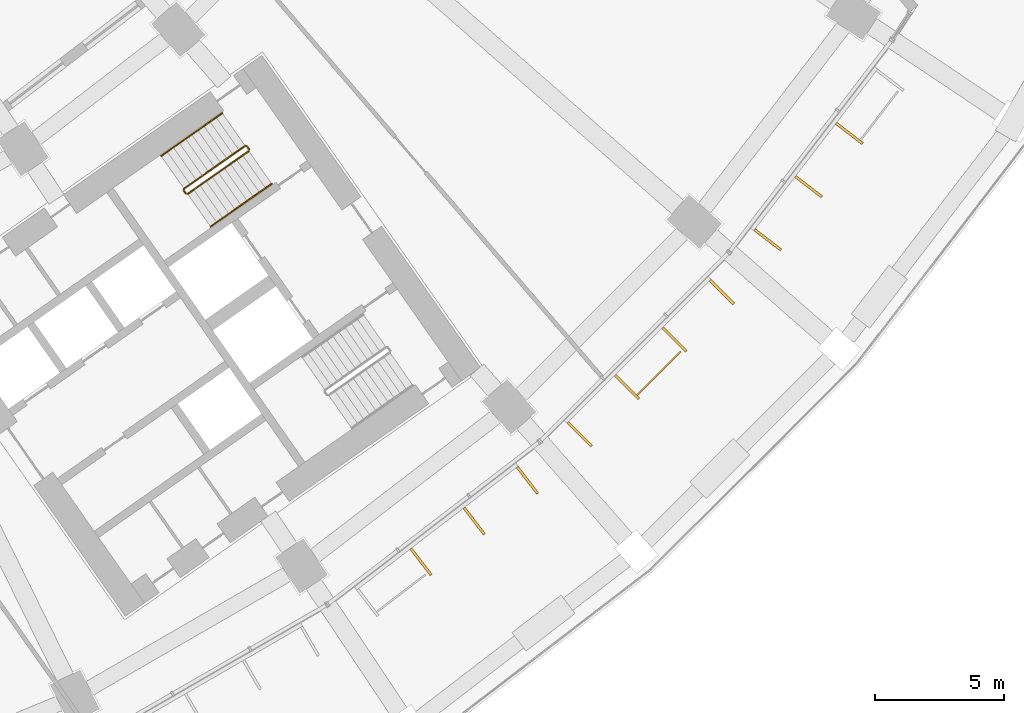
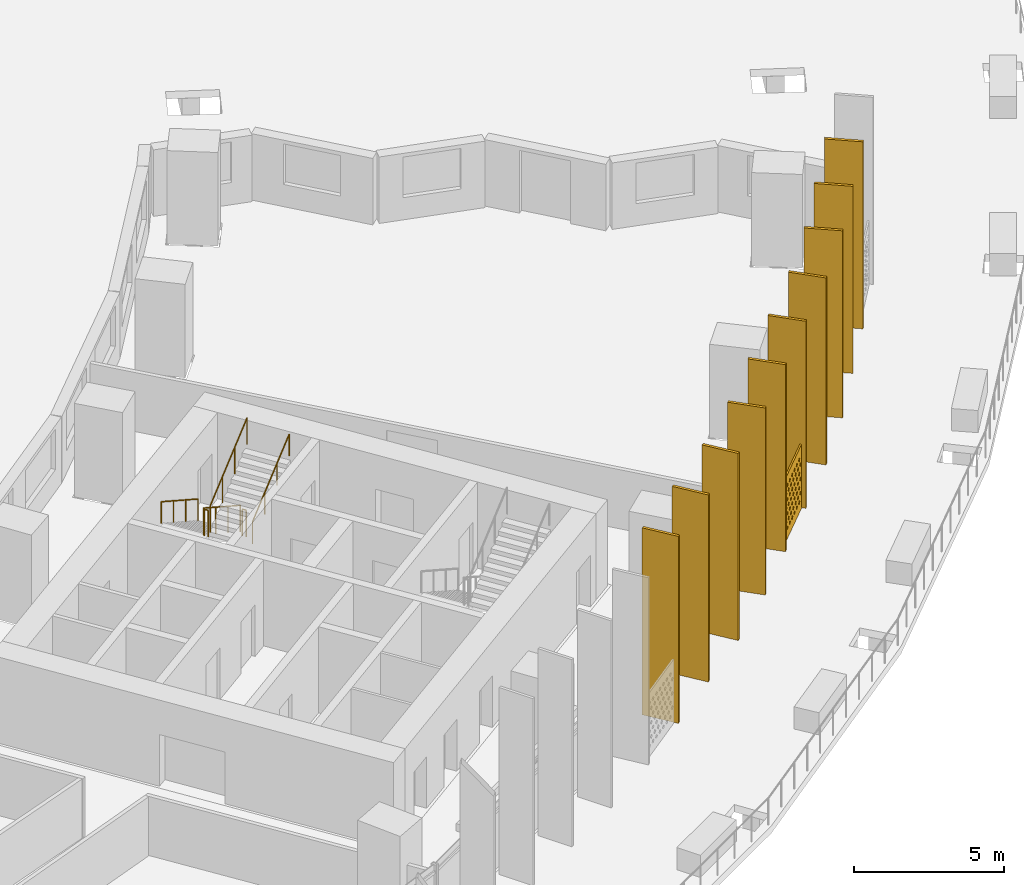
# One storey, part 33 of 35: 11 shading devices, 5 railings.
"""IFC4 building model written with IfcOpenShell, lengths in metres."""

from ifc_helpers import new_model, si_unit, direction, frame, origin, origin_2d, place, context, subcontext, project, spatial, polyline, rectangle, circle, outline, extrude, material, material_profile, profile_set, type_object, element, save


model = new_model("IFC4")

# Units and contexts
model_context = context("Model", 3, precision=1e-05, world=origin(), true_north=direction((0.0, 1.0)))
body_context = subcontext(model_context, "Body", "Model", "MODEL_VIEW")
ifc_project = project(units=[si_unit("LENGTHUNIT", "METRE"), si_unit("AREAUNIT", "SQUARE_METRE"), si_unit("VOLUMEUNIT", "CUBIC_METRE"), si_unit("PLANEANGLEUNIT", "RADIAN"), si_unit("MASSUNIT", "GRAM", prefix="KILO")], contexts=[model_context])

# Site, building, storey
site_placement = place(None, origin())
site = spatial("IfcSite", under=ifc_project, at=site_placement, CompositionType="ELEMENT")
building_placement = place(site_placement, origin())
building = spatial("IfcBuilding", under=site, at=building_placement, Name="Qamariyya Broadcast Tower", CompositionType="ELEMENT")
storey_placement = place(building_placement, frame((0.0, 0.0, 40.5)))
storey = spatial("IfcBuildingStorey", under=building, at=storey_placement, Name="L06", CompositionType="ELEMENT", Elevation=40.5)

# Shading device
ifc_material_1 = material(Name="Perforated glazed terracotta", Category="masonry")
ifc_material_profile_1 = material_profile(ifc_material_1, outline(polyline([(-1.199951171875, -1.300048828125), (1.199951171875, -1.300048828125), (1.199951171875, 1.300048828125), (-1.199951171875, 1.300048828125), (-1.199951171875, -1.300048828125)]), holes=[polyline([(-0.81494140625, -0.86669921875), (-0.89990234375, -0.78173828125), (-0.985107421875, -0.86669921875), (-0.89990234375, -0.95166015625), (-0.81494140625, -0.86669921875)]), polyline([(-0.514892578125, -0.86669921875), (-0.60009765625, -0.78173828125), (-0.68505859375, -0.86669921875), (-0.60009765625, -0.95166015625), (-0.514892578125, -0.86669921875)]), polyline([(-0.215087890625, -0.86669921875), (-0.300048828125, -0.78173828125), (-0.385009765625, -0.86669921875), (-0.300048828125, -0.95166015625), (-0.215087890625, -0.86669921875)]), polyline([(0.0849609375, -0.86669921875), (0.0, -0.78173828125), (-0.0849609375, -0.86669921875), (0.0, -0.95166015625), (0.0849609375, -0.86669921875)]), polyline([(0.385009765625, -0.86669921875), (0.300048828125, -0.78173828125), (0.215087890625, -0.86669921875), (0.300048828125, -0.95166015625), (0.385009765625, -0.86669921875)]), polyline([(0.68505859375, -0.86669921875), (0.60009765625, -0.78173828125), (0.514892578125, -0.86669921875), (0.60009765625, -0.95166015625), (0.68505859375, -0.86669921875)]), polyline([(0.985107421875, -0.86669921875), (0.89990234375, -0.78173828125), (0.81494140625, -0.86669921875), (0.89990234375, -0.95166015625), (0.985107421875, -0.86669921875)]), polyline([(-0.965087890625, -0.577880859375), (-1.050048828125, -0.49267578125), (-1.135009765625, -0.577880859375), (-1.050048828125, -0.662841796875), (-0.965087890625, -0.577880859375)]), polyline([(-0.6650390625, -0.577880859375), (-0.75, -0.49267578125), (-0.8349609375, -0.577880859375), (-0.75, -0.662841796875), (-0.6650390625, -0.577880859375)]), polyline([(-0.364990234375, -0.577880859375), (-0.449951171875, -0.49267578125), (-0.534912109375, -0.577880859375), (-0.449951171875, -0.662841796875), (-0.364990234375, -0.577880859375)]), polyline([(-0.06494140625, -0.577880859375), (-0.14990234375, -0.49267578125), (-0.235107421875, -0.577880859375), (-0.14990234375, -0.662841796875), (-0.06494140625, -0.577880859375)]), polyline([(0.235107421875, -0.577880859375), (0.14990234375, -0.49267578125), (0.06494140625, -0.577880859375), (0.14990234375, -0.662841796875), (0.235107421875, -0.577880859375)]), polyline([(0.534912109375, -0.577880859375), (0.449951171875, -0.49267578125), (0.364990234375, -0.577880859375), (0.449951171875, -0.662841796875), (0.534912109375, -0.577880859375)]), polyline([(0.8349609375, -0.577880859375), (0.75, -0.49267578125), (0.6650390625, -0.577880859375), (0.75, -0.662841796875), (0.8349609375, -0.577880859375)]), polyline([(1.135009765625, -0.577880859375), (1.050048828125, -0.49267578125), (0.965087890625, -0.577880859375), (1.050048828125, -0.662841796875), (1.135009765625, -0.577880859375)]), polyline([(-0.81494140625, -0.288818359375), (-0.89990234375, -0.203857421875), (-0.985107421875, -0.288818359375), (-0.89990234375, -0.373779296875), (-0.81494140625, -0.288818359375)]), polyline([(-0.514892578125, -0.288818359375), (-0.60009765625, -0.203857421875), (-0.68505859375, -0.288818359375), (-0.60009765625, -0.373779296875), (-0.514892578125, -0.288818359375)]), polyline([(-0.215087890625, -0.288818359375), (-0.300048828125, -0.203857421875), (-0.385009765625, -0.288818359375), (-0.300048828125, -0.373779296875), (-0.215087890625, -0.288818359375)]), polyline([(0.0849609375, -0.288818359375), (0.0, -0.203857421875), (-0.0849609375, -0.288818359375), (0.0, -0.373779296875), (0.0849609375, -0.288818359375)]), polyline([(0.385009765625, -0.288818359375), (0.300048828125, -0.203857421875), (0.215087890625, -0.288818359375), (0.300048828125, -0.373779296875), (0.385009765625, -0.288818359375)]), polyline([(0.68505859375, -0.288818359375), (0.60009765625, -0.203857421875), (0.514892578125, -0.288818359375), (0.60009765625, -0.373779296875), (0.68505859375, -0.288818359375)]), polyline([(0.985107421875, -0.288818359375), (0.89990234375, -0.203857421875), (0.81494140625, -0.288818359375), (0.89990234375, -0.373779296875), (0.985107421875, -0.288818359375)]), polyline([(-0.965087890625, 0.0), (-1.050048828125, 0.0849609375), (-1.135009765625, 0.0), (-1.050048828125, -0.0849609375), (-0.965087890625, 0.0)]), polyline([(-0.6650390625, 0.0), (-0.75, 0.0849609375), (-0.8349609375, 0.0), (-0.75, -0.0849609375), (-0.6650390625, 0.0)]), polyline([(-0.364990234375, 0.0), (-0.449951171875, 0.0849609375), (-0.534912109375, 0.0), (-0.449951171875, -0.0849609375), (-0.364990234375, 0.0)]), polyline([(-0.06494140625, 0.0), (-0.14990234375, 0.0849609375), (-0.235107421875, 0.0), (-0.14990234375, -0.0849609375), (-0.06494140625, 0.0)]), polyline([(0.235107421875, 0.0), (0.14990234375, 0.0849609375), (0.06494140625, 0.0), (0.14990234375, -0.0849609375), (0.235107421875, 0.0)]), polyline([(0.534912109375, 0.0), (0.449951171875, 0.0849609375), (0.364990234375, 0.0), (0.449951171875, -0.0849609375), (0.534912109375, 0.0)]), polyline([(0.8349609375, 0.0), (0.75, 0.0849609375), (0.6650390625, 0.0), (0.75, -0.0849609375), (0.8349609375, 0.0)]), polyline([(1.135009765625, 0.0), (1.050048828125, 0.0849609375), (0.965087890625, 0.0), (1.050048828125, -0.0849609375), (1.135009765625, 0.0)]), polyline([(-0.81494140625, 0.288818359375), (-0.89990234375, 0.373779296875), (-0.985107421875, 0.288818359375), (-0.89990234375, 0.203857421875), (-0.81494140625, 0.288818359375)]), polyline([(-0.514892578125, 0.288818359375), (-0.60009765625, 0.373779296875), (-0.68505859375, 0.288818359375), (-0.60009765625, 0.203857421875), (-0.514892578125, 0.288818359375)]), polyline([(-0.215087890625, 0.288818359375), (-0.300048828125, 0.373779296875), (-0.385009765625, 0.288818359375), (-0.300048828125, 0.203857421875), (-0.215087890625, 0.288818359375)]), polyline([(0.0849609375, 0.288818359375), (0.0, 0.373779296875), (-0.0849609375, 0.288818359375), (0.0, 0.203857421875), (0.0849609375, 0.288818359375)]), polyline([(0.385009765625, 0.288818359375), (0.300048828125, 0.373779296875), (0.215087890625, 0.288818359375), (0.300048828125, 0.203857421875), (0.385009765625, 0.288818359375)]), polyline([(0.68505859375, 0.288818359375), (0.60009765625, 0.373779296875), (0.514892578125, 0.288818359375), (0.60009765625, 0.203857421875), (0.68505859375, 0.288818359375)]), polyline([(0.985107421875, 0.288818359375), (0.89990234375, 0.373779296875), (0.81494140625, 0.288818359375), (0.89990234375, 0.203857421875), (0.985107421875, 0.288818359375)]), polyline([(-0.965087890625, 0.577880859375), (-1.050048828125, 0.662841796875), (-1.135009765625, 0.577880859375), (-1.050048828125, 0.49267578125), (-0.965087890625, 0.577880859375)]), polyline([(-0.6650390625, 0.577880859375), (-0.75, 0.662841796875), (-0.8349609375, 0.577880859375), (-0.75, 0.49267578125), (-0.6650390625, 0.577880859375)]), polyline([(-0.364990234375, 0.577880859375), (-0.449951171875, 0.662841796875), (-0.534912109375, 0.577880859375), (-0.449951171875, 0.49267578125), (-0.364990234375, 0.577880859375)]), polyline([(-0.06494140625, 0.577880859375), (-0.14990234375, 0.662841796875), (-0.235107421875, 0.577880859375), (-0.14990234375, 0.49267578125), (-0.06494140625, 0.577880859375)]), polyline([(0.235107421875, 0.577880859375), (0.14990234375, 0.662841796875), (0.06494140625, 0.577880859375), (0.14990234375, 0.49267578125), (0.235107421875, 0.577880859375)]), polyline([(0.534912109375, 0.577880859375), (0.449951171875, 0.662841796875), (0.364990234375, 0.577880859375), (0.449951171875, 0.49267578125), (0.534912109375, 0.577880859375)]), polyline([(0.8349609375, 0.577880859375), (0.75, 0.662841796875), (0.6650390625, 0.577880859375), (0.75, 0.49267578125), (0.8349609375, 0.577880859375)]), polyline([(1.135009765625, 0.577880859375), (1.050048828125, 0.662841796875), (0.965087890625, 0.577880859375), (1.050048828125, 0.49267578125), (1.135009765625, 0.577880859375)]), polyline([(-0.81494140625, 0.86669921875), (-0.89990234375, 0.95166015625), (-0.985107421875, 0.86669921875), (-0.89990234375, 0.78173828125), (-0.81494140625, 0.86669921875)]), polyline([(-0.514892578125, 0.86669921875), (-0.60009765625, 0.95166015625), (-0.68505859375, 0.86669921875), (-0.60009765625, 0.78173828125), (-0.514892578125, 0.86669921875)]), polyline([(-0.215087890625, 0.86669921875), (-0.300048828125, 0.95166015625), (-0.385009765625, 0.86669921875), (-0.300048828125, 0.78173828125), (-0.215087890625, 0.86669921875)]), polyline([(0.0849609375, 0.86669921875), (0.0, 0.95166015625), (-0.0849609375, 0.86669921875), (0.0, 0.78173828125), (0.0849609375, 0.86669921875)]), polyline([(0.385009765625, 0.86669921875), (0.300048828125, 0.95166015625), (0.215087890625, 0.86669921875), (0.300048828125, 0.78173828125), (0.385009765625, 0.86669921875)]), polyline([(0.68505859375, 0.86669921875), (0.60009765625, 0.95166015625), (0.514892578125, 0.86669921875), (0.60009765625, 0.78173828125), (0.68505859375, 0.86669921875)]), polyline([(0.985107421875, 0.86669921875), (0.89990234375, 0.95166015625), (0.81494140625, 0.86669921875), (0.89990234375, 0.78173828125), (0.985107421875, 0.86669921875)])]))
ifc_profile_set_1 = profile_set([ifc_material_profile_1], Name="Perforated glazed terracotta")
shading_device_type_1 = type_object("IfcShadingDeviceType", Name="Perforated terracotta screen 2400 x 2600", PredefinedType="USERDEFINED", material=ifc_profile_set_1)
shading_device_placement = place(storey_placement, frame((57.0615234375, -57.135498046875, 1.35009765625), z_axis=(0.707106781187, -0.707106781187, 0.0), x_axis=(0.707106781187, 0.707106781187, 0.0)))
element("IfcShadingDevice", 1, at=shading_device_placement, inside=storey, type_object=shading_device_type_1, Name="e-scr-L06-14-1", ObjectType="SCREEN", PredefinedType="USERDEFINED", context=body_context, shape_type="SweptSolid", body=[
    extrude(outline(polyline([(-1.199951171875, -1.300048828125), (1.199951171875, -1.300048828125), (1.199951171875, 1.300048828125), (-1.199951171875, 1.300048828125), (-1.199951171875, -1.300048828125)]), holes=[polyline([(-0.81494140625, -0.86669921875), (-0.89990234375, -0.78173828125), (-0.985107421875, -0.86669921875), (-0.89990234375, -0.95166015625), (-0.81494140625, -0.86669921875)]), polyline([(-0.514892578125, -0.86669921875), (-0.60009765625, -0.78173828125), (-0.68505859375, -0.86669921875), (-0.60009765625, -0.95166015625), (-0.514892578125, -0.86669921875)]), polyline([(-0.215087890625, -0.86669921875), (-0.300048828125, -0.78173828125), (-0.385009765625, -0.86669921875), (-0.300048828125, -0.95166015625), (-0.215087890625, -0.86669921875)]), polyline([(0.0849609375, -0.86669921875), (0.0, -0.78173828125), (-0.0849609375, -0.86669921875), (0.0, -0.95166015625), (0.0849609375, -0.86669921875)]), polyline([(0.385009765625, -0.86669921875), (0.300048828125, -0.78173828125), (0.215087890625, -0.86669921875), (0.300048828125, -0.95166015625), (0.385009765625, -0.86669921875)]), polyline([(0.68505859375, -0.86669921875), (0.60009765625, -0.78173828125), (0.514892578125, -0.86669921875), (0.60009765625, -0.95166015625), (0.68505859375, -0.86669921875)]), polyline([(0.985107421875, -0.86669921875), (0.89990234375, -0.78173828125), (0.81494140625, -0.86669921875), (0.89990234375, -0.95166015625), (0.985107421875, -0.86669921875)]), polyline([(-0.965087890625, -0.577880859375), (-1.050048828125, -0.49267578125), (-1.135009765625, -0.577880859375), (-1.050048828125, -0.662841796875), (-0.965087890625, -0.577880859375)]), polyline([(-0.6650390625, -0.577880859375), (-0.75, -0.49267578125), (-0.8349609375, -0.577880859375), (-0.75, -0.662841796875), (-0.6650390625, -0.577880859375)]), polyline([(-0.364990234375, -0.577880859375), (-0.449951171875, -0.49267578125), (-0.534912109375, -0.577880859375), (-0.449951171875, -0.662841796875), (-0.364990234375, -0.577880859375)]), polyline([(-0.06494140625, -0.577880859375), (-0.14990234375, -0.49267578125), (-0.235107421875, -0.577880859375), (-0.14990234375, -0.662841796875), (-0.06494140625, -0.577880859375)]), polyline([(0.235107421875, -0.577880859375), (0.14990234375, -0.49267578125), (0.06494140625, -0.577880859375), (0.14990234375, -0.662841796875), (0.235107421875, -0.577880859375)]), polyline([(0.534912109375, -0.577880859375), (0.449951171875, -0.49267578125), (0.364990234375, -0.577880859375), (0.449951171875, -0.662841796875), (0.534912109375, -0.577880859375)]), polyline([(0.8349609375, -0.577880859375), (0.75, -0.49267578125), (0.6650390625, -0.577880859375), (0.75, -0.662841796875), (0.8349609375, -0.577880859375)]), polyline([(1.135009765625, -0.577880859375), (1.050048828125, -0.49267578125), (0.965087890625, -0.577880859375), (1.050048828125, -0.662841796875), (1.135009765625, -0.577880859375)]), polyline([(-0.81494140625, -0.288818359375), (-0.89990234375, -0.203857421875), (-0.985107421875, -0.288818359375), (-0.89990234375, -0.373779296875), (-0.81494140625, -0.288818359375)]), polyline([(-0.514892578125, -0.288818359375), (-0.60009765625, -0.203857421875), (-0.68505859375, -0.288818359375), (-0.60009765625, -0.373779296875), (-0.514892578125, -0.288818359375)]), polyline([(-0.215087890625, -0.288818359375), (-0.300048828125, -0.203857421875), (-0.385009765625, -0.288818359375), (-0.300048828125, -0.373779296875), (-0.215087890625, -0.288818359375)]), polyline([(0.0849609375, -0.288818359375), (0.0, -0.203857421875), (-0.0849609375, -0.288818359375), (0.0, -0.373779296875), (0.0849609375, -0.288818359375)]), polyline([(0.385009765625, -0.288818359375), (0.300048828125, -0.203857421875), (0.215087890625, -0.288818359375), (0.300048828125, -0.373779296875), (0.385009765625, -0.288818359375)]), polyline([(0.68505859375, -0.288818359375), (0.60009765625, -0.203857421875), (0.514892578125, -0.288818359375), (0.60009765625, -0.373779296875), (0.68505859375, -0.288818359375)]), polyline([(0.985107421875, -0.288818359375), (0.89990234375, -0.203857421875), (0.81494140625, -0.288818359375), (0.89990234375, -0.373779296875), (0.985107421875, -0.288818359375)]), polyline([(-0.965087890625, 0.0), (-1.050048828125, 0.0849609375), (-1.135009765625, 0.0), (-1.050048828125, -0.0849609375), (-0.965087890625, 0.0)]), polyline([(-0.6650390625, 0.0), (-0.75, 0.0849609375), (-0.8349609375, 0.0), (-0.75, -0.0849609375), (-0.6650390625, 0.0)]), polyline([(-0.364990234375, 0.0), (-0.449951171875, 0.0849609375), (-0.534912109375, 0.0), (-0.449951171875, -0.0849609375), (-0.364990234375, 0.0)]), polyline([(-0.06494140625, 0.0), (-0.14990234375, 0.0849609375), (-0.235107421875, 0.0), (-0.14990234375, -0.0849609375), (-0.06494140625, 0.0)]), polyline([(0.235107421875, 0.0), (0.14990234375, 0.0849609375), (0.06494140625, 0.0), (0.14990234375, -0.0849609375), (0.235107421875, 0.0)]), polyline([(0.534912109375, 0.0), (0.449951171875, 0.0849609375), (0.364990234375, 0.0), (0.449951171875, -0.0849609375), (0.534912109375, 0.0)]), polyline([(0.8349609375, 0.0), (0.75, 0.0849609375), (0.6650390625, 0.0), (0.75, -0.0849609375), (0.8349609375, 0.0)]), polyline([(1.135009765625, 0.0), (1.050048828125, 0.0849609375), (0.965087890625, 0.0), (1.050048828125, -0.0849609375), (1.135009765625, 0.0)]), polyline([(-0.81494140625, 0.288818359375), (-0.89990234375, 0.373779296875), (-0.985107421875, 0.288818359375), (-0.89990234375, 0.203857421875), (-0.81494140625, 0.288818359375)]), polyline([(-0.514892578125, 0.288818359375), (-0.60009765625, 0.373779296875), (-0.68505859375, 0.288818359375), (-0.60009765625, 0.203857421875), (-0.514892578125, 0.288818359375)]), polyline([(-0.215087890625, 0.288818359375), (-0.300048828125, 0.373779296875), (-0.385009765625, 0.288818359375), (-0.300048828125, 0.203857421875), (-0.215087890625, 0.288818359375)]), polyline([(0.0849609375, 0.288818359375), (0.0, 0.373779296875), (-0.0849609375, 0.288818359375), (0.0, 0.203857421875), (0.0849609375, 0.288818359375)]), polyline([(0.385009765625, 0.288818359375), (0.300048828125, 0.373779296875), (0.215087890625, 0.288818359375), (0.300048828125, 0.203857421875), (0.385009765625, 0.288818359375)]), polyline([(0.68505859375, 0.288818359375), (0.60009765625, 0.373779296875), (0.514892578125, 0.288818359375), (0.60009765625, 0.203857421875), (0.68505859375, 0.288818359375)]), polyline([(0.985107421875, 0.288818359375), (0.89990234375, 0.373779296875), (0.81494140625, 0.288818359375), (0.89990234375, 0.203857421875), (0.985107421875, 0.288818359375)]), polyline([(-0.965087890625, 0.577880859375), (-1.050048828125, 0.662841796875), (-1.135009765625, 0.577880859375), (-1.050048828125, 0.49267578125), (-0.965087890625, 0.577880859375)]), polyline([(-0.6650390625, 0.577880859375), (-0.75, 0.662841796875), (-0.8349609375, 0.577880859375), (-0.75, 0.49267578125), (-0.6650390625, 0.577880859375)]), polyline([(-0.364990234375, 0.577880859375), (-0.449951171875, 0.662841796875), (-0.534912109375, 0.577880859375), (-0.449951171875, 0.49267578125), (-0.364990234375, 0.577880859375)]), polyline([(-0.06494140625, 0.577880859375), (-0.14990234375, 0.662841796875), (-0.235107421875, 0.577880859375), (-0.14990234375, 0.49267578125), (-0.06494140625, 0.577880859375)]), polyline([(0.235107421875, 0.577880859375), (0.14990234375, 0.662841796875), (0.06494140625, 0.577880859375), (0.14990234375, 0.49267578125), (0.235107421875, 0.577880859375)]), polyline([(0.534912109375, 0.577880859375), (0.449951171875, 0.662841796875), (0.364990234375, 0.577880859375), (0.449951171875, 0.49267578125), (0.534912109375, 0.577880859375)]), polyline([(0.8349609375, 0.577880859375), (0.75, 0.662841796875), (0.6650390625, 0.577880859375), (0.75, 0.49267578125), (0.8349609375, 0.577880859375)]), polyline([(1.135009765625, 0.577880859375), (1.050048828125, 0.662841796875), (0.965087890625, 0.577880859375), (1.050048828125, 0.49267578125), (1.135009765625, 0.577880859375)]), polyline([(-0.81494140625, 0.86669921875), (-0.89990234375, 0.95166015625), (-0.985107421875, 0.86669921875), (-0.89990234375, 0.78173828125), (-0.81494140625, 0.86669921875)]), polyline([(-0.514892578125, 0.86669921875), (-0.60009765625, 0.95166015625), (-0.68505859375, 0.86669921875), (-0.60009765625, 0.78173828125), (-0.514892578125, 0.86669921875)]), polyline([(-0.215087890625, 0.86669921875), (-0.300048828125, 0.95166015625), (-0.385009765625, 0.86669921875), (-0.300048828125, 0.78173828125), (-0.215087890625, 0.86669921875)]), polyline([(0.0849609375, 0.86669921875), (0.0, 0.95166015625), (-0.0849609375, 0.86669921875), (0.0, 0.78173828125), (0.0849609375, 0.86669921875)]), polyline([(0.385009765625, 0.86669921875), (0.300048828125, 0.95166015625), (0.215087890625, 0.86669921875), (0.300048828125, 0.78173828125), (0.385009765625, 0.86669921875)]), polyline([(0.68505859375, 0.86669921875), (0.60009765625, 0.95166015625), (0.514892578125, 0.86669921875), (0.60009765625, 0.78173828125), (0.68505859375, 0.86669921875)]), polyline([(0.985107421875, 0.86669921875), (0.89990234375, 0.95166015625), (0.81494140625, 0.86669921875), (0.89990234375, 0.78173828125), (0.985107421875, 0.86669921875)])]), origin(), (0.0, 0.0, 1.0), 0.06005859375),
])

# Railings
ifc_material_2 = material(Name="Painted steel", Category="steel")
railing_type_1 = type_object("IfcRailingType", Name="Stair guard", PredefinedType="GUARDRAIL", material=ifc_material_2)
railing_1_placement = place(storey_placement, frame((41.003173828125, -48.320068359375, 0.172607421875)))
element("IfcRailing", 2, at=railing_1_placement, inside=storey, type_object=railing_type_1, Name="L06 ST-E2 stair guard 1", PredefinedType="GUARDRAIL", context=body_context, shape_type="SweptSolid", body=[
    extrude(circle(Radius=0.02392578125, at=origin_2d()), frame((0.0, 0.0, 1.076171875), z_axis=(-0.703770094002, -0.492783725636, 0.511734163933), x_axis=(0.573575343427, -0.819152809562, 0.0)), (0.0, 0.0, 1.0), 3.37548828125),
    extrude(circle(Radius=0.02392578125, at=origin_2d()), frame((-2.37548828125, -1.663330078125, 2.80322265625), z_axis=(-0.172799478008, -0.984957024646, 0.0), x_axis=(0.984957024646, -0.172799478008, 0.0)), (0.0, 0.0, 1.0), 0.070556640625),
    extrude(circle(Radius=0.02392578125, at=origin_2d()), frame((-2.3876953125, -1.73291015625, 2.80322265625), z_axis=(0.572588637393, -0.819842821722, 0.0), x_axis=(0.819842821722, 0.572588637393, 0.0)), (0.0, 0.0, 1.0), 0.150146484375),
    extrude(circle(Radius=0.02099609375, at=origin_2d()), origin(), (0.0, 0.0, 1.0), 1.052001953125),
    extrude(circle(Radius=0.02099609375, at=origin_2d()), frame((-0.791748046875, -0.554443359375, 0.57568359375)), (0.0, 0.0, 1.0), 1.052001953125),
    extrude(circle(Radius=0.02099609375, at=origin_2d()), frame((-1.583740234375, -1.10888671875, 1.151611328125)), (0.0, 0.0, 1.0), 1.052001953125),
    extrude(circle(Radius=0.02099609375, at=origin_2d()), frame((-2.37548828125, -1.663330078125, 1.727294921875)), (0.0, 0.0, 1.0), 1.052001953125),
    extrude(circle(Radius=0.02099609375, at=origin_2d()), frame((-2.3876953125, -1.73291015625, 1.727294921875)), (0.0, 0.0, 1.0), 1.052001953125),
    extrude(circle(Radius=0.02099609375, at=origin_2d()), frame((-2.3017578125, -1.85595703125, 1.727294921875)), (0.0, 0.0, 1.0), 1.052001953125),
])
railing_2_placement = place(storey_placement, frame((38.771240234375, -50.188232421875, 2.07275390625)))
element("IfcRailing", 3, at=railing_2_placement, inside=storey, type_object=railing_type_1, Name="L06 ST-E2 stair guard 2", PredefinedType="GUARDRAIL", context=body_context, shape_type="SweptSolid", body=[
    extrude(circle(Radius=0.02392578125, at=origin_2d()), frame((0.0, 0.0, 1.076171875), z_axis=(0.703770094002, 0.492783725636, 0.511734163933), x_axis=(-0.573575343427, 0.819152809562, 0.0)), (0.0, 0.0, 1.0), 3.37548828125),
    extrude(circle(Radius=0.02099609375, at=origin_2d()), origin(), (0.0, 0.0, 1.0), 1.052001953125),
    extrude(circle(Radius=0.02099609375, at=origin_2d()), frame((0.791748046875, 0.554443359375, 0.57568359375)), (0.0, 0.0, 1.0), 1.052001953125),
    extrude(circle(Radius=0.02099609375, at=origin_2d()), frame((1.583740234375, 1.10888671875, 1.151611328125)), (0.0, 0.0, 1.0), 1.052001953125),
    extrude(circle(Radius=0.02099609375, at=origin_2d()), frame((2.37548828125, 1.663330078125, 1.727294921875)), (0.0, 0.0, 1.0), 1.052001953125),
])
railing_3_placement = place(storey_placement, frame((41.072998046875, -48.332275390625, 0.0)))
element("IfcRailing", 4, at=railing_3_placement, inside=storey, type_object=railing_type_1, Name="L06 ST-E2 stair guard 3", PredefinedType="GUARDRAIL", context=body_context, shape_type="SweptSolid", body=[
    extrude(circle(Radius=0.02392578125, at=origin_2d()), frame((0.0, 0.0, 1.076171875), z_axis=(0.572588637393, -0.819842821722, 0.0), x_axis=(0.819842821722, 0.572588637393, 0.0)), (0.0, 0.0, 1.0), 0.150146484375),
    extrude(circle(Radius=0.02099609375, at=origin_2d()), origin(), (0.0, 0.0, 1.0), 1.052001953125),
    extrude(circle(Radius=0.02099609375, at=origin_2d()), frame((0.0859375, -0.123046875, 0.0)), (0.0, 0.0, 1.0), 1.052001953125),
])
ifc_material_3 = material(Name="Stainless steel", Category="steel")
railing_type_2 = type_object("IfcRailingType", Name="Stair handrail", PredefinedType="HANDRAIL", material=ifc_material_3)
railing_4_placement = place(storey_placement, frame((40.1142578125, -47.05029296875, 0.172607421875)))
element("IfcRailing", 5, at=railing_4_placement, inside=storey, type_object=railing_type_2, Name="L06 ST-E2 stair handrail 1", PredefinedType="HANDRAIL", context=body_context, shape_type="SweptSolid", body=[
    extrude(circle(Radius=0.02392578125, at=origin_2d()), frame((0.0, 0.0, 0.8759765625), z_axis=(-0.703745009021, -0.492838488332, 0.511715923826), x_axis=(0.573631830683, -0.819113253969, 0.0)), (0.0, 0.0, 1.0), 3.37548828125),
    extrude(circle(Radius=0.02099609375, at=origin_2d()), origin(), (0.0, 0.0, 1.0), 0.851806640625),
    extrude(circle(Radius=0.02099609375, at=origin_2d()), frame((-0.791748046875, -0.554443359375, 0.57568359375)), (0.0, 0.0, 1.0), 0.851806640625),
    extrude(circle(Radius=0.02099609375, at=origin_2d()), frame((-1.583740234375, -1.109130859375, 1.151611328125)), (0.0, 0.0, 1.0), 0.851806640625),
    extrude(circle(Radius=0.02099609375, at=origin_2d()), frame((-2.37548828125, -1.66357421875, 1.727294921875)), (0.0, 0.0, 1.0), 0.851806640625),
])
railing_5_placement = place(storey_placement, frame((39.66015625, -51.4580078125, 2.07275390625)))
element("IfcRailing", 6, at=railing_5_placement, inside=storey, type_object=railing_type_2, Name="L06 ST-E2 stair handrail 2", PredefinedType="HANDRAIL", context=body_context, shape_type="SweptSolid", body=[
    extrude(circle(Radius=0.02392578125, at=origin_2d()), frame((0.0, 0.0, 0.8759765625), z_axis=(0.703745009021, 0.492838488332, 0.511715923826), x_axis=(-0.573631830683, 0.819113253969, 0.0)), (0.0, 0.0, 1.0), 3.37548828125),
    extrude(circle(Radius=0.02099609375, at=origin_2d()), origin(), (0.0, 0.0, 1.0), 0.851806640625),
    extrude(circle(Radius=0.02099609375, at=origin_2d()), frame((0.791748046875, 0.554443359375, 0.57568359375)), (0.0, 0.0, 1.0), 0.851806640625),
    extrude(circle(Radius=0.02099609375, at=origin_2d()), frame((1.583740234375, 1.109130859375, 1.151611328125)), (0.0, 0.0, 1.0), 0.851806640625),
    extrude(circle(Radius=0.02099609375, at=origin_2d()), frame((2.37548828125, 1.66357421875, 1.727294921875)), (0.0, 0.0, 1.0), 0.851806640625),
])

# Shading devices
ifc_material_4 = material(Name="Glazed terracotta", Category="masonry")
ifc_material_profile_2 = material_profile(ifc_material_4, rectangle(XDim=1.300048828125, YDim=0.10009765625, at=origin_2d()))
ifc_profile_set_2 = profile_set([ifc_material_profile_2], Name="Glazed terracotta")
shading_device_type_2 = type_object("IfcShadingDeviceType", Name="Terracotta fin 100 x 1300", PredefinedType="USERDEFINED", material=ifc_profile_set_2)
for number, where, z_axis, x_axis, name in (
    (7, (47.837890625, -64.48291015625, 0.0), (0.0, 0.0, 1.0), (0.608761429009, -0.793353340291, 0.0), "e-fin-L06-13-1"),
    (8, (49.904296875, -62.897216796875, 0.0), (0.0, 0.0, 1.0), (0.608761429009, -0.793353340291, 0.0), "e-fin-L06-13-2"),
    (9, (51.970703125, -61.3115234375, 0.0), (0.0, 0.0, 1.0), (0.608761429009, -0.793353340291, 0.0), "e-fin-L06-13-3"),
    (10, (54.00341796875, -59.52880859375, 0.0), (0.0, 0.0, 1.0), (0.707106781187, -0.707106781187, 0.0), "e-fin-L06-14-0"),
    (11, (55.84521484375, -57.68701171875, 0.0), (0.0, 0.0, 1.0), (0.707106781187, -0.707106781187, 0.0), "e-fin-L06-14-1"),
    (12, (57.68701171875, -55.84521484375, 0.0), (0.0, 0.0, 1.0), (0.707106781187, -0.707106781187, 0.0), "e-fin-L06-14-2"),
    (13, (59.52880859375, -54.00341796875, 0.0), (0.0, 0.0, 1.0), (0.707106781187, -0.707106781187, 0.0), "e-fin-L06-14-3"),
    (14, (61.3115234375, -51.970703125, 0.0), (0.0, 0.0, 1.0), (0.793353340291, -0.608761429009, 0.0), "e-fin-L06-15-0"),
    (15, (62.897216796875, -49.904296875, 0.0), (0.0, 0.0, 1.0), (0.793353340291, -0.608761429009, 0.0), "e-fin-L06-15-1"),
    (16, (64.48291015625, -47.837890625, 0.0), (0.0, 0.0, 1.0), (0.793353340291, -0.608761429009, 0.0), "e-fin-L06-15-2"),
):
    element("IfcShadingDevice", number, at=place(storey_placement, frame(where, z_axis=z_axis, x_axis=x_axis)), inside=storey, type_object=shading_device_type_2, Name=name, ObjectType="FIN", PredefinedType="USERDEFINED", context=body_context, shape_type="SweptSolid", body=[
        extrude(rectangle(XDim=1.300048828125, YDim=0.10009765625, at=origin_2d()), origin(), (0.0, 0.0, 1.0), 7.60009765625),
    ])

save(model, "model.ifc")
